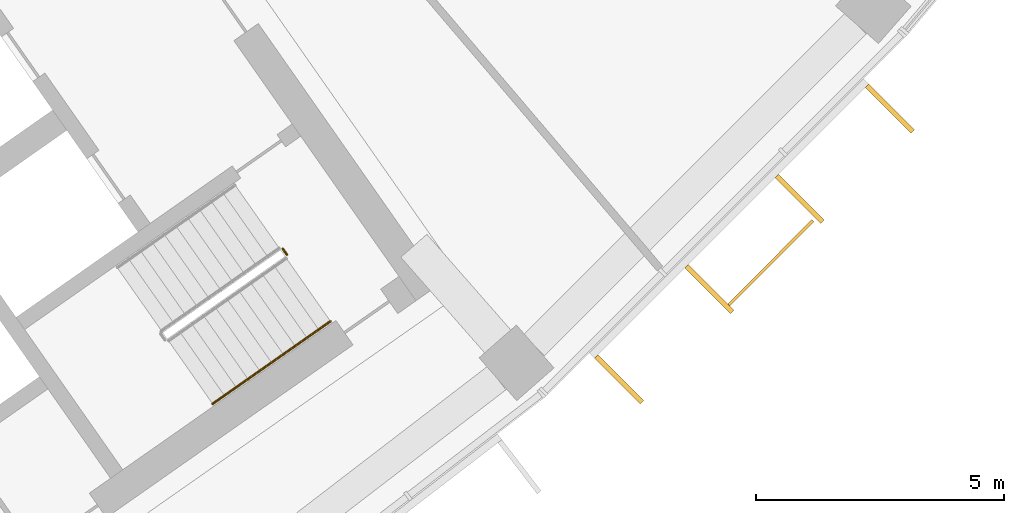
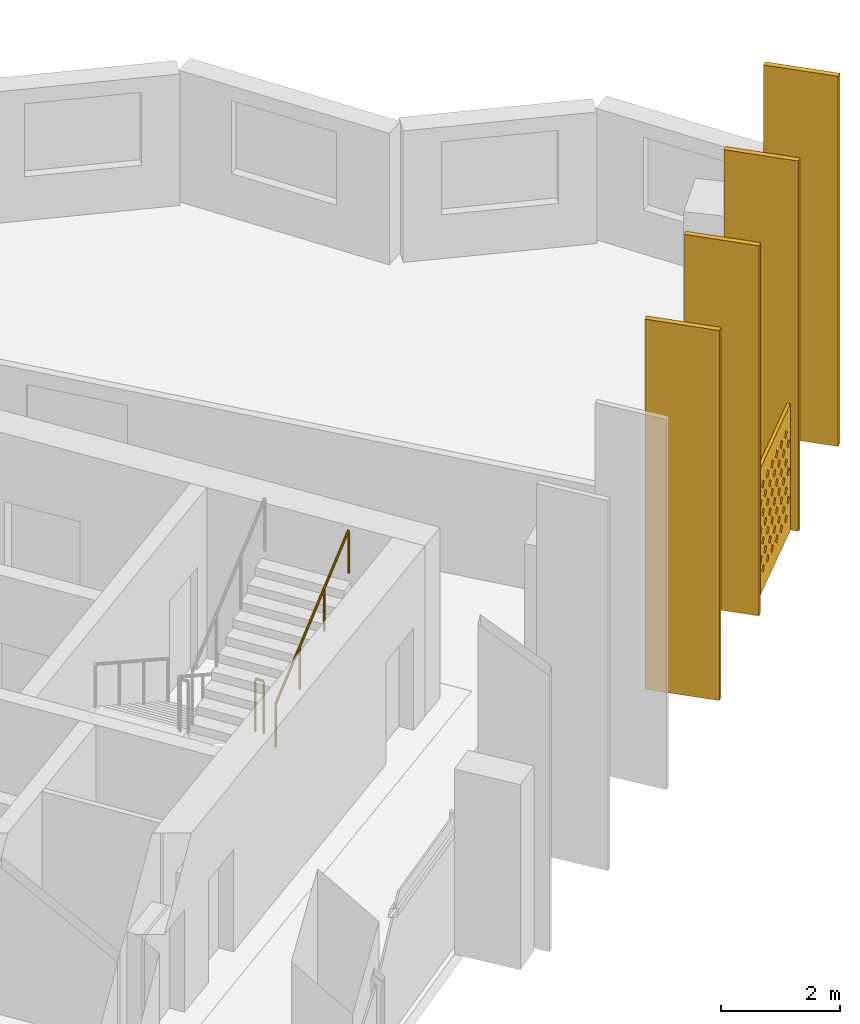
# One storey, part 28 of 28: 5 shading devices, 2 railings.
"""IFC4 building model written with IfcOpenShell, lengths in metres."""

from ifc_helpers import new_model, si_unit, direction, frame, origin, origin_2d, place, context, subcontext, project, spatial, polyline, rectangle, circle, outline, extrude, material, material_profile, profile_set, type_object, element, save


model = new_model("IFC4")

# Units and contexts
model_context = context("Model", 3, precision=1e-05, world=origin(), true_north=direction((0.0, 1.0)))
body_context = subcontext(model_context, "Body", "Model", "MODEL_VIEW")
ifc_project = project(units=[si_unit("LENGTHUNIT", "METRE"), si_unit("AREAUNIT", "SQUARE_METRE"), si_unit("VOLUMEUNIT", "CUBIC_METRE"), si_unit("PLANEANGLEUNIT", "RADIAN"), si_unit("MASSUNIT", "GRAM", prefix="KILO")], contexts=[model_context])

# Site, building, storey
site_placement = place(None, origin())
site = spatial("IfcSite", under=ifc_project, at=site_placement, CompositionType="ELEMENT")
building_placement = place(site_placement, origin())
building = spatial("IfcBuilding", under=site, at=building_placement, Name="Qamariyya Broadcast Tower", CompositionType="ELEMENT")
storey_placement = place(building_placement, frame((0.0, 0.0, 234.10009765625)))
storey = spatial("IfcBuildingStorey", under=building, at=storey_placement, Name="L56", CompositionType="ELEMENT", Elevation=234.10009765625)

# Shading device
ifc_material_1 = material(Name="Perforated glazed terracotta", Category="masonry")
ifc_material_profile_1 = material_profile(ifc_material_1, outline(polyline([(-1.199951171875, -1.300048828125), (1.199951171875, -1.300048828125), (1.199951171875, 1.300048828125), (-1.199951171875, 1.300048828125), (-1.199951171875, -1.300048828125)]), holes=[polyline([(-0.81494140625, -0.86669921875), (-0.89990234375, -0.78173828125), (-0.985107421875, -0.86669921875), (-0.89990234375, -0.95166015625), (-0.81494140625, -0.86669921875)]), polyline([(-0.514892578125, -0.86669921875), (-0.60009765625, -0.78173828125), (-0.68505859375, -0.86669921875), (-0.60009765625, -0.95166015625), (-0.514892578125, -0.86669921875)]), polyline([(-0.215087890625, -0.86669921875), (-0.300048828125, -0.78173828125), (-0.385009765625, -0.86669921875), (-0.300048828125, -0.95166015625), (-0.215087890625, -0.86669921875)]), polyline([(0.0849609375, -0.86669921875), (0.0, -0.78173828125), (-0.0849609375, -0.86669921875), (0.0, -0.95166015625), (0.0849609375, -0.86669921875)]), polyline([(0.385009765625, -0.86669921875), (0.300048828125, -0.78173828125), (0.215087890625, -0.86669921875), (0.300048828125, -0.95166015625), (0.385009765625, -0.86669921875)]), polyline([(0.68505859375, -0.86669921875), (0.60009765625, -0.78173828125), (0.514892578125, -0.86669921875), (0.60009765625, -0.95166015625), (0.68505859375, -0.86669921875)]), polyline([(0.985107421875, -0.86669921875), (0.89990234375, -0.78173828125), (0.81494140625, -0.86669921875), (0.89990234375, -0.95166015625), (0.985107421875, -0.86669921875)]), polyline([(-0.965087890625, -0.577880859375), (-1.050048828125, -0.49267578125), (-1.135009765625, -0.577880859375), (-1.050048828125, -0.662841796875), (-0.965087890625, -0.577880859375)]), polyline([(-0.6650390625, -0.577880859375), (-0.75, -0.49267578125), (-0.8349609375, -0.577880859375), (-0.75, -0.662841796875), (-0.6650390625, -0.577880859375)]), polyline([(-0.364990234375, -0.577880859375), (-0.449951171875, -0.49267578125), (-0.534912109375, -0.577880859375), (-0.449951171875, -0.662841796875), (-0.364990234375, -0.577880859375)]), polyline([(-0.06494140625, -0.577880859375), (-0.14990234375, -0.49267578125), (-0.235107421875, -0.577880859375), (-0.14990234375, -0.662841796875), (-0.06494140625, -0.577880859375)]), polyline([(0.235107421875, -0.577880859375), (0.14990234375, -0.49267578125), (0.06494140625, -0.577880859375), (0.14990234375, -0.662841796875), (0.235107421875, -0.577880859375)]), polyline([(0.534912109375, -0.577880859375), (0.449951171875, -0.49267578125), (0.364990234375, -0.577880859375), (0.449951171875, -0.662841796875), (0.534912109375, -0.577880859375)]), polyline([(0.8349609375, -0.577880859375), (0.75, -0.49267578125), (0.6650390625, -0.577880859375), (0.75, -0.662841796875), (0.8349609375, -0.577880859375)]), polyline([(1.135009765625, -0.577880859375), (1.050048828125, -0.49267578125), (0.965087890625, -0.577880859375), (1.050048828125, -0.662841796875), (1.135009765625, -0.577880859375)]), polyline([(-0.81494140625, -0.288818359375), (-0.89990234375, -0.203857421875), (-0.985107421875, -0.288818359375), (-0.89990234375, -0.373779296875), (-0.81494140625, -0.288818359375)]), polyline([(-0.514892578125, -0.288818359375), (-0.60009765625, -0.203857421875), (-0.68505859375, -0.288818359375), (-0.60009765625, -0.373779296875), (-0.514892578125, -0.288818359375)]), polyline([(-0.215087890625, -0.288818359375), (-0.300048828125, -0.203857421875), (-0.385009765625, -0.288818359375), (-0.300048828125, -0.373779296875), (-0.215087890625, -0.288818359375)]), polyline([(0.0849609375, -0.288818359375), (0.0, -0.203857421875), (-0.0849609375, -0.288818359375), (0.0, -0.373779296875), (0.0849609375, -0.288818359375)]), polyline([(0.385009765625, -0.288818359375), (0.300048828125, -0.203857421875), (0.215087890625, -0.288818359375), (0.300048828125, -0.373779296875), (0.385009765625, -0.288818359375)]), polyline([(0.68505859375, -0.288818359375), (0.60009765625, -0.203857421875), (0.514892578125, -0.288818359375), (0.60009765625, -0.373779296875), (0.68505859375, -0.288818359375)]), polyline([(0.985107421875, -0.288818359375), (0.89990234375, -0.203857421875), (0.81494140625, -0.288818359375), (0.89990234375, -0.373779296875), (0.985107421875, -0.288818359375)]), polyline([(-0.965087890625, 0.0), (-1.050048828125, 0.0849609375), (-1.135009765625, 0.0), (-1.050048828125, -0.0849609375), (-0.965087890625, 0.0)]), polyline([(-0.6650390625, 0.0), (-0.75, 0.0849609375), (-0.8349609375, 0.0), (-0.75, -0.0849609375), (-0.6650390625, 0.0)]), polyline([(-0.364990234375, 0.0), (-0.449951171875, 0.0849609375), (-0.534912109375, 0.0), (-0.449951171875, -0.0849609375), (-0.364990234375, 0.0)]), polyline([(-0.06494140625, 0.0), (-0.14990234375, 0.0849609375), (-0.235107421875, 0.0), (-0.14990234375, -0.0849609375), (-0.06494140625, 0.0)]), polyline([(0.235107421875, 0.0), (0.14990234375, 0.0849609375), (0.06494140625, 0.0), (0.14990234375, -0.0849609375), (0.235107421875, 0.0)]), polyline([(0.534912109375, 0.0), (0.449951171875, 0.0849609375), (0.364990234375, 0.0), (0.449951171875, -0.0849609375), (0.534912109375, 0.0)]), polyline([(0.8349609375, 0.0), (0.75, 0.0849609375), (0.6650390625, 0.0), (0.75, -0.0849609375), (0.8349609375, 0.0)]), polyline([(1.135009765625, 0.0), (1.050048828125, 0.0849609375), (0.965087890625, 0.0), (1.050048828125, -0.0849609375), (1.135009765625, 0.0)]), polyline([(-0.81494140625, 0.288818359375), (-0.89990234375, 0.373779296875), (-0.985107421875, 0.288818359375), (-0.89990234375, 0.203857421875), (-0.81494140625, 0.288818359375)]), polyline([(-0.514892578125, 0.288818359375), (-0.60009765625, 0.373779296875), (-0.68505859375, 0.288818359375), (-0.60009765625, 0.203857421875), (-0.514892578125, 0.288818359375)]), polyline([(-0.215087890625, 0.288818359375), (-0.300048828125, 0.373779296875), (-0.385009765625, 0.288818359375), (-0.300048828125, 0.203857421875), (-0.215087890625, 0.288818359375)]), polyline([(0.0849609375, 0.288818359375), (0.0, 0.373779296875), (-0.0849609375, 0.288818359375), (0.0, 0.203857421875), (0.0849609375, 0.288818359375)]), polyline([(0.385009765625, 0.288818359375), (0.300048828125, 0.373779296875), (0.215087890625, 0.288818359375), (0.300048828125, 0.203857421875), (0.385009765625, 0.288818359375)]), polyline([(0.68505859375, 0.288818359375), (0.60009765625, 0.373779296875), (0.514892578125, 0.288818359375), (0.60009765625, 0.203857421875), (0.68505859375, 0.288818359375)]), polyline([(0.985107421875, 0.288818359375), (0.89990234375, 0.373779296875), (0.81494140625, 0.288818359375), (0.89990234375, 0.203857421875), (0.985107421875, 0.288818359375)]), polyline([(-0.965087890625, 0.577880859375), (-1.050048828125, 0.662841796875), (-1.135009765625, 0.577880859375), (-1.050048828125, 0.49267578125), (-0.965087890625, 0.577880859375)]), polyline([(-0.6650390625, 0.577880859375), (-0.75, 0.662841796875), (-0.8349609375, 0.577880859375), (-0.75, 0.49267578125), (-0.6650390625, 0.577880859375)]), polyline([(-0.364990234375, 0.577880859375), (-0.449951171875, 0.662841796875), (-0.534912109375, 0.577880859375), (-0.449951171875, 0.49267578125), (-0.364990234375, 0.577880859375)]), polyline([(-0.06494140625, 0.577880859375), (-0.14990234375, 0.662841796875), (-0.235107421875, 0.577880859375), (-0.14990234375, 0.49267578125), (-0.06494140625, 0.577880859375)]), polyline([(0.235107421875, 0.577880859375), (0.14990234375, 0.662841796875), (0.06494140625, 0.577880859375), (0.14990234375, 0.49267578125), (0.235107421875, 0.577880859375)]), polyline([(0.534912109375, 0.577880859375), (0.449951171875, 0.662841796875), (0.364990234375, 0.577880859375), (0.449951171875, 0.49267578125), (0.534912109375, 0.577880859375)]), polyline([(0.8349609375, 0.577880859375), (0.75, 0.662841796875), (0.6650390625, 0.577880859375), (0.75, 0.49267578125), (0.8349609375, 0.577880859375)]), polyline([(1.135009765625, 0.577880859375), (1.050048828125, 0.662841796875), (0.965087890625, 0.577880859375), (1.050048828125, 0.49267578125), (1.135009765625, 0.577880859375)]), polyline([(-0.81494140625, 0.86669921875), (-0.89990234375, 0.95166015625), (-0.985107421875, 0.86669921875), (-0.89990234375, 0.78173828125), (-0.81494140625, 0.86669921875)]), polyline([(-0.514892578125, 0.86669921875), (-0.60009765625, 0.95166015625), (-0.68505859375, 0.86669921875), (-0.60009765625, 0.78173828125), (-0.514892578125, 0.86669921875)]), polyline([(-0.215087890625, 0.86669921875), (-0.300048828125, 0.95166015625), (-0.385009765625, 0.86669921875), (-0.300048828125, 0.78173828125), (-0.215087890625, 0.86669921875)]), polyline([(0.0849609375, 0.86669921875), (0.0, 0.95166015625), (-0.0849609375, 0.86669921875), (0.0, 0.78173828125), (0.0849609375, 0.86669921875)]), polyline([(0.385009765625, 0.86669921875), (0.300048828125, 0.95166015625), (0.215087890625, 0.86669921875), (0.300048828125, 0.78173828125), (0.385009765625, 0.86669921875)]), polyline([(0.68505859375, 0.86669921875), (0.60009765625, 0.95166015625), (0.514892578125, 0.86669921875), (0.60009765625, 0.78173828125), (0.68505859375, 0.86669921875)]), polyline([(0.985107421875, 0.86669921875), (0.89990234375, 0.95166015625), (0.81494140625, 0.86669921875), (0.89990234375, 0.78173828125), (0.985107421875, 0.86669921875)])]))
ifc_profile_set_1 = profile_set([ifc_material_profile_1], Name="Perforated glazed terracotta")
shading_device_type_1 = type_object("IfcShadingDeviceType", Name="Perforated terracotta screen 2400 x 2600", PredefinedType="USERDEFINED", material=ifc_profile_set_1)
shading_device_placement = place(storey_placement, frame((56.367431640625, -56.41845703125, 1.349853515625), z_axis=(0.709141608176, -0.705066081692, 0.0), x_axis=(0.705066081692, 0.709141608176, 0.0)))
element("IfcShadingDevice", 1, at=shading_device_placement, inside=storey, type_object=shading_device_type_1, Name="e-scr-L56-14-1", ObjectType="SCREEN", PredefinedType="USERDEFINED", context=body_context, shape_type="SweptSolid", body=[
    extrude(outline(polyline([(-1.199951171875, -1.300048828125), (1.199951171875, -1.300048828125), (1.199951171875, 1.300048828125), (-1.199951171875, 1.300048828125), (-1.199951171875, -1.300048828125)]), holes=[polyline([(-0.81494140625, -0.86669921875), (-0.89990234375, -0.78173828125), (-0.985107421875, -0.86669921875), (-0.89990234375, -0.95166015625), (-0.81494140625, -0.86669921875)]), polyline([(-0.514892578125, -0.86669921875), (-0.60009765625, -0.78173828125), (-0.68505859375, -0.86669921875), (-0.60009765625, -0.95166015625), (-0.514892578125, -0.86669921875)]), polyline([(-0.215087890625, -0.86669921875), (-0.300048828125, -0.78173828125), (-0.385009765625, -0.86669921875), (-0.300048828125, -0.95166015625), (-0.215087890625, -0.86669921875)]), polyline([(0.0849609375, -0.86669921875), (0.0, -0.78173828125), (-0.0849609375, -0.86669921875), (0.0, -0.95166015625), (0.0849609375, -0.86669921875)]), polyline([(0.385009765625, -0.86669921875), (0.300048828125, -0.78173828125), (0.215087890625, -0.86669921875), (0.300048828125, -0.95166015625), (0.385009765625, -0.86669921875)]), polyline([(0.68505859375, -0.86669921875), (0.60009765625, -0.78173828125), (0.514892578125, -0.86669921875), (0.60009765625, -0.95166015625), (0.68505859375, -0.86669921875)]), polyline([(0.985107421875, -0.86669921875), (0.89990234375, -0.78173828125), (0.81494140625, -0.86669921875), (0.89990234375, -0.95166015625), (0.985107421875, -0.86669921875)]), polyline([(-0.965087890625, -0.577880859375), (-1.050048828125, -0.49267578125), (-1.135009765625, -0.577880859375), (-1.050048828125, -0.662841796875), (-0.965087890625, -0.577880859375)]), polyline([(-0.6650390625, -0.577880859375), (-0.75, -0.49267578125), (-0.8349609375, -0.577880859375), (-0.75, -0.662841796875), (-0.6650390625, -0.577880859375)]), polyline([(-0.364990234375, -0.577880859375), (-0.449951171875, -0.49267578125), (-0.534912109375, -0.577880859375), (-0.449951171875, -0.662841796875), (-0.364990234375, -0.577880859375)]), polyline([(-0.06494140625, -0.577880859375), (-0.14990234375, -0.49267578125), (-0.235107421875, -0.577880859375), (-0.14990234375, -0.662841796875), (-0.06494140625, -0.577880859375)]), polyline([(0.235107421875, -0.577880859375), (0.14990234375, -0.49267578125), (0.06494140625, -0.577880859375), (0.14990234375, -0.662841796875), (0.235107421875, -0.577880859375)]), polyline([(0.534912109375, -0.577880859375), (0.449951171875, -0.49267578125), (0.364990234375, -0.577880859375), (0.449951171875, -0.662841796875), (0.534912109375, -0.577880859375)]), polyline([(0.8349609375, -0.577880859375), (0.75, -0.49267578125), (0.6650390625, -0.577880859375), (0.75, -0.662841796875), (0.8349609375, -0.577880859375)]), polyline([(1.135009765625, -0.577880859375), (1.050048828125, -0.49267578125), (0.965087890625, -0.577880859375), (1.050048828125, -0.662841796875), (1.135009765625, -0.577880859375)]), polyline([(-0.81494140625, -0.288818359375), (-0.89990234375, -0.203857421875), (-0.985107421875, -0.288818359375), (-0.89990234375, -0.373779296875), (-0.81494140625, -0.288818359375)]), polyline([(-0.514892578125, -0.288818359375), (-0.60009765625, -0.203857421875), (-0.68505859375, -0.288818359375), (-0.60009765625, -0.373779296875), (-0.514892578125, -0.288818359375)]), polyline([(-0.215087890625, -0.288818359375), (-0.300048828125, -0.203857421875), (-0.385009765625, -0.288818359375), (-0.300048828125, -0.373779296875), (-0.215087890625, -0.288818359375)]), polyline([(0.0849609375, -0.288818359375), (0.0, -0.203857421875), (-0.0849609375, -0.288818359375), (0.0, -0.373779296875), (0.0849609375, -0.288818359375)]), polyline([(0.385009765625, -0.288818359375), (0.300048828125, -0.203857421875), (0.215087890625, -0.288818359375), (0.300048828125, -0.373779296875), (0.385009765625, -0.288818359375)]), polyline([(0.68505859375, -0.288818359375), (0.60009765625, -0.203857421875), (0.514892578125, -0.288818359375), (0.60009765625, -0.373779296875), (0.68505859375, -0.288818359375)]), polyline([(0.985107421875, -0.288818359375), (0.89990234375, -0.203857421875), (0.81494140625, -0.288818359375), (0.89990234375, -0.373779296875), (0.985107421875, -0.288818359375)]), polyline([(-0.965087890625, 0.0), (-1.050048828125, 0.0849609375), (-1.135009765625, 0.0), (-1.050048828125, -0.0849609375), (-0.965087890625, 0.0)]), polyline([(-0.6650390625, 0.0), (-0.75, 0.0849609375), (-0.8349609375, 0.0), (-0.75, -0.0849609375), (-0.6650390625, 0.0)]), polyline([(-0.364990234375, 0.0), (-0.449951171875, 0.0849609375), (-0.534912109375, 0.0), (-0.449951171875, -0.0849609375), (-0.364990234375, 0.0)]), polyline([(-0.06494140625, 0.0), (-0.14990234375, 0.0849609375), (-0.235107421875, 0.0), (-0.14990234375, -0.0849609375), (-0.06494140625, 0.0)]), polyline([(0.235107421875, 0.0), (0.14990234375, 0.0849609375), (0.06494140625, 0.0), (0.14990234375, -0.0849609375), (0.235107421875, 0.0)]), polyline([(0.534912109375, 0.0), (0.449951171875, 0.0849609375), (0.364990234375, 0.0), (0.449951171875, -0.0849609375), (0.534912109375, 0.0)]), polyline([(0.8349609375, 0.0), (0.75, 0.0849609375), (0.6650390625, 0.0), (0.75, -0.0849609375), (0.8349609375, 0.0)]), polyline([(1.135009765625, 0.0), (1.050048828125, 0.0849609375), (0.965087890625, 0.0), (1.050048828125, -0.0849609375), (1.135009765625, 0.0)]), polyline([(-0.81494140625, 0.288818359375), (-0.89990234375, 0.373779296875), (-0.985107421875, 0.288818359375), (-0.89990234375, 0.203857421875), (-0.81494140625, 0.288818359375)]), polyline([(-0.514892578125, 0.288818359375), (-0.60009765625, 0.373779296875), (-0.68505859375, 0.288818359375), (-0.60009765625, 0.203857421875), (-0.514892578125, 0.288818359375)]), polyline([(-0.215087890625, 0.288818359375), (-0.300048828125, 0.373779296875), (-0.385009765625, 0.288818359375), (-0.300048828125, 0.203857421875), (-0.215087890625, 0.288818359375)]), polyline([(0.0849609375, 0.288818359375), (0.0, 0.373779296875), (-0.0849609375, 0.288818359375), (0.0, 0.203857421875), (0.0849609375, 0.288818359375)]), polyline([(0.385009765625, 0.288818359375), (0.300048828125, 0.373779296875), (0.215087890625, 0.288818359375), (0.300048828125, 0.203857421875), (0.385009765625, 0.288818359375)]), polyline([(0.68505859375, 0.288818359375), (0.60009765625, 0.373779296875), (0.514892578125, 0.288818359375), (0.60009765625, 0.203857421875), (0.68505859375, 0.288818359375)]), polyline([(0.985107421875, 0.288818359375), (0.89990234375, 0.373779296875), (0.81494140625, 0.288818359375), (0.89990234375, 0.203857421875), (0.985107421875, 0.288818359375)]), polyline([(-0.965087890625, 0.577880859375), (-1.050048828125, 0.662841796875), (-1.135009765625, 0.577880859375), (-1.050048828125, 0.49267578125), (-0.965087890625, 0.577880859375)]), polyline([(-0.6650390625, 0.577880859375), (-0.75, 0.662841796875), (-0.8349609375, 0.577880859375), (-0.75, 0.49267578125), (-0.6650390625, 0.577880859375)]), polyline([(-0.364990234375, 0.577880859375), (-0.449951171875, 0.662841796875), (-0.534912109375, 0.577880859375), (-0.449951171875, 0.49267578125), (-0.364990234375, 0.577880859375)]), polyline([(-0.06494140625, 0.577880859375), (-0.14990234375, 0.662841796875), (-0.235107421875, 0.577880859375), (-0.14990234375, 0.49267578125), (-0.06494140625, 0.577880859375)]), polyline([(0.235107421875, 0.577880859375), (0.14990234375, 0.662841796875), (0.06494140625, 0.577880859375), (0.14990234375, 0.49267578125), (0.235107421875, 0.577880859375)]), polyline([(0.534912109375, 0.577880859375), (0.449951171875, 0.662841796875), (0.364990234375, 0.577880859375), (0.449951171875, 0.49267578125), (0.534912109375, 0.577880859375)]), polyline([(0.8349609375, 0.577880859375), (0.75, 0.662841796875), (0.6650390625, 0.577880859375), (0.75, 0.49267578125), (0.8349609375, 0.577880859375)]), polyline([(1.135009765625, 0.577880859375), (1.050048828125, 0.662841796875), (0.965087890625, 0.577880859375), (1.050048828125, 0.49267578125), (1.135009765625, 0.577880859375)]), polyline([(-0.81494140625, 0.86669921875), (-0.89990234375, 0.95166015625), (-0.985107421875, 0.86669921875), (-0.89990234375, 0.78173828125), (-0.81494140625, 0.86669921875)]), polyline([(-0.514892578125, 0.86669921875), (-0.60009765625, 0.95166015625), (-0.68505859375, 0.86669921875), (-0.60009765625, 0.78173828125), (-0.514892578125, 0.86669921875)]), polyline([(-0.215087890625, 0.86669921875), (-0.300048828125, 0.95166015625), (-0.385009765625, 0.86669921875), (-0.300048828125, 0.78173828125), (-0.215087890625, 0.86669921875)]), polyline([(0.0849609375, 0.86669921875), (0.0, 0.95166015625), (-0.0849609375, 0.86669921875), (0.0, 0.78173828125), (0.0849609375, 0.86669921875)]), polyline([(0.385009765625, 0.86669921875), (0.300048828125, 0.95166015625), (0.215087890625, 0.86669921875), (0.300048828125, 0.78173828125), (0.385009765625, 0.86669921875)]), polyline([(0.68505859375, 0.86669921875), (0.60009765625, 0.95166015625), (0.514892578125, 0.86669921875), (0.60009765625, 0.78173828125), (0.68505859375, 0.86669921875)]), polyline([(0.985107421875, 0.86669921875), (0.89990234375, 0.95166015625), (0.81494140625, 0.86669921875), (0.89990234375, 0.78173828125), (0.985107421875, 0.86669921875)])]), origin(), (0.0, 0.0, 1.0), 0.059814453125),
])

# Railings
ifc_material_2 = material(Name="Painted steel", Category="steel")
railing_type_1 = type_object("IfcRailingType", Name="Stair guard", PredefinedType="GUARDRAIL", material=ifc_material_2)
railing_1_placement = place(storey_placement, frame((46.550537109375, -56.1552734375, 0.0)))
element("IfcRailing", 2, at=railing_1_placement, inside=storey, type_object=railing_type_1, Name="L56 ST-E1 stair guard 3", PredefinedType="GUARDRAIL", context=body_context, shape_type="SweptSolid", body=[
    extrude(circle(Radius=0.02392578125, at=origin_2d()), frame((0.0, 0.0, 1.076171875), z_axis=(0.574444878118, -0.818543268254, 0.0), x_axis=(0.818543268254, 0.574444878118, 0.0)), (0.0, 0.0, 1.0), 0.150146484375),
    extrude(circle(Radius=0.02099609375, at=origin_2d()), origin(), (0.0, 0.0, 1.0), 1.052001953125),
    extrude(circle(Radius=0.02099609375, at=origin_2d()), frame((0.086181640625, -0.122802734375, 0.0)), (0.0, 0.0, 1.0), 1.052001953125),
])
ifc_material_3 = material(Name="Stainless steel", Category="steel")
railing_type_2 = type_object("IfcRailingType", Name="Stair handrail", PredefinedType="HANDRAIL", material=ifc_material_3)
railing_2_placement = place(storey_placement, frame((45.137939453125, -59.28076171875, 2.072509765625)))
element("IfcRailing", 3, at=railing_2_placement, inside=storey, type_object=railing_type_2, Name="L56 ST-E1 stair handrail 2", PredefinedType="HANDRAIL", context=body_context, shape_type="SweptSolid", body=[
    extrude(circle(Radius=0.02392578125, at=origin_2d()), frame((0.0, 0.0, 0.8759765625), z_axis=(0.703770094002, 0.492783725636, 0.511734163933), x_axis=(-0.573575343427, 0.819152809562, 0.0)), (0.0, 0.0, 1.0), 3.37548828125),
    extrude(circle(Radius=0.02099609375, at=origin_2d()), origin(), (0.0, 0.0, 1.0), 0.851806640625),
    extrude(circle(Radius=0.02099609375, at=origin_2d()), frame((0.791748046875, 0.554443359375, 0.57568359375)), (0.0, 0.0, 1.0), 0.851806640625),
    extrude(circle(Radius=0.02099609375, at=origin_2d()), frame((1.583740234375, 1.10888671875, 1.151611328125)), (0.0, 0.0, 1.0), 0.851806640625),
    extrude(circle(Radius=0.02099609375, at=origin_2d()), frame((2.37548828125, 1.663330078125, 1.727294921875)), (0.0, 0.0, 1.0), 0.851806640625),
])

# Shading devices
ifc_material_4 = material(Name="Glazed terracotta", Category="masonry")
ifc_material_profile_2 = material_profile(ifc_material_4, rectangle(XDim=1.300048828125, YDim=0.10009765625, at=origin_2d()))
ifc_profile_set_2 = profile_set([ifc_material_profile_2], Name="Glazed terracotta")
shading_device_type_2 = type_object("IfcShadingDeviceType", Name="Terracotta fin 100 x 1300", PredefinedType="USERDEFINED", material=ifc_profile_set_2)
for number, where, z_axis, x_axis, name in (
    (4, (53.33251953125, -58.78857421875, 0.0), (0.0, 0.0, 1.0), (0.707106781187, -0.707106781187, 0.0), "e-fin-L56-14-0"),
    (5, (55.151123046875, -56.969970703125, 0.0), (0.0, 0.0, 1.0), (0.707106781187, -0.707106781187, 0.0), "e-fin-L56-14-1"),
    (6, (56.969970703125, -55.151123046875, 0.0), (0.0, 0.0, 1.0), (0.707106781187, -0.707106781187, 0.0), "e-fin-L56-14-2"),
    (7, (58.78857421875, -53.33251953125, 0.0), (0.0, 0.0, 1.0), (0.707106781187, -0.707106781187, 0.0), "e-fin-L56-14-3"),
):
    element("IfcShadingDevice", number, at=place(storey_placement, frame(where, z_axis=z_axis, x_axis=x_axis)), inside=storey, type_object=shading_device_type_2, Name=name, ObjectType="FIN", PredefinedType="USERDEFINED", context=body_context, shape_type="SweptSolid", body=[
        extrude(rectangle(XDim=1.300048828125, YDim=0.10009765625, at=origin_2d()), origin(), (0.0, 0.0, 1.0), 7.599853515625),
    ])

save(model, "model.ifc")
